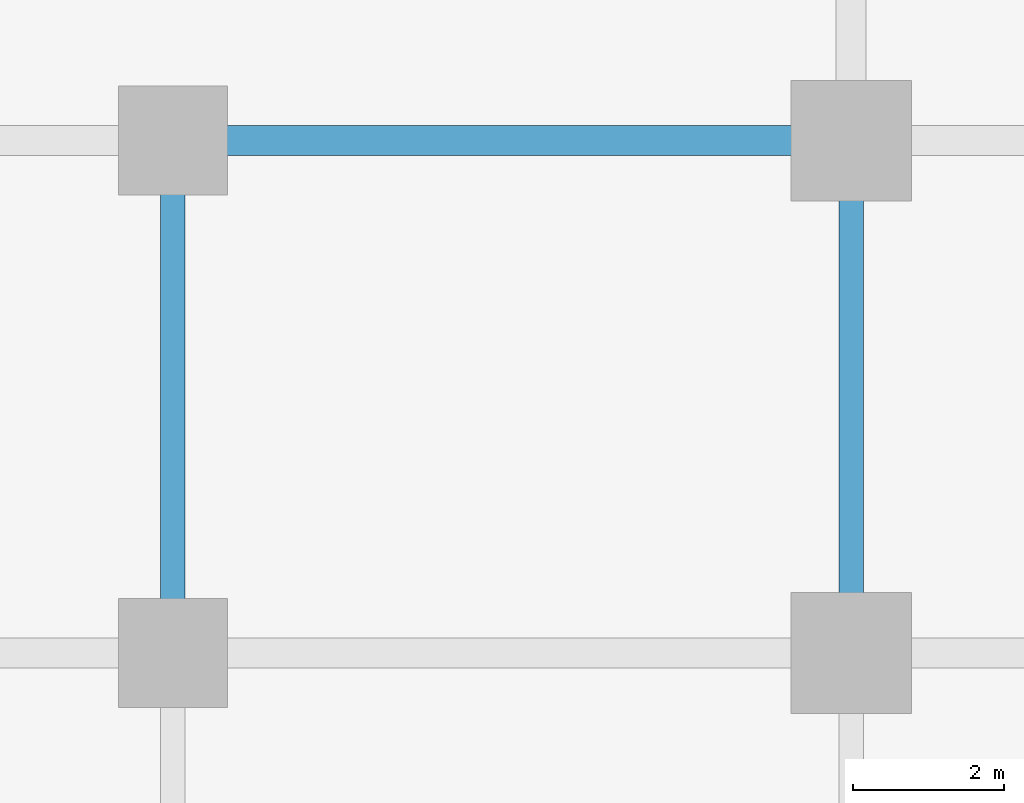
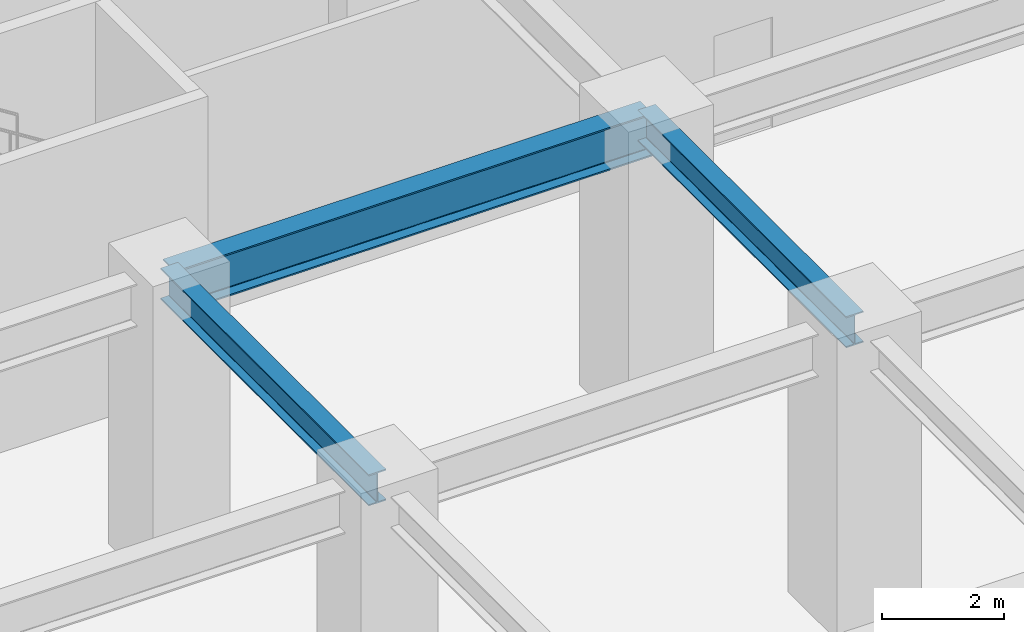
# One storey, part 6 of 34: 3 beams.
"""IFC4 building model written with IfcOpenShell, lengths in metres."""

from ifc_helpers import new_model, si_unit, direction, frame, origin, origin_2d, place, context, subcontext, project, spatial, i_section, extrude, source, transform, mapped, material, material_profile, profile_set, type_object, element, save


model = new_model("IFC4")

# Units and contexts
model_context = context("Model", 3, precision=1e-05, world=origin(), true_north=direction((0.0, 1.0)))
body_context = subcontext(model_context, "Body", "Model", "MODEL_VIEW")
ifc_project = project(units=[si_unit("LENGTHUNIT", "METRE"), si_unit("AREAUNIT", "SQUARE_METRE"), si_unit("VOLUMEUNIT", "CUBIC_METRE"), si_unit("PLANEANGLEUNIT", "RADIAN"), si_unit("MASSUNIT", "GRAM", prefix="KILO")], contexts=[model_context])

# Site, building, storey
site_placement = place(None, origin())
site = spatial("IfcSite", under=ifc_project, at=site_placement, CompositionType="ELEMENT")
building_placement = place(site_placement, origin())
building = spatial("IfcBuilding", under=site, at=building_placement, Name="Torre Montelarca", CompositionType="ELEMENT")
storey_placement = place(building_placement, frame((0.0, 0.0, 6.0)))
storey = spatial("IfcBuildingStorey", under=building, at=storey_placement, Name="L02", CompositionType="ELEMENT", Elevation=6.0)

# Beams
ifc_material = material(Name="Steel ASTM A992 Grade 50", Category="steel")
ifc_material_profile_1 = material_profile(ifc_material, i_section(OverallWidth=0.39990234375, OverallDepth=0.85498046875, WebThickness=0.018310546875, FlangeThickness=0.029296875, FilletRadius=0.02001953125, at=origin_2d()), Name="W840X299", Category="steel")
ifc_profile_set_1 = profile_set([ifc_material_profile_1], Name="Steel ASTM A992 Grade 50")
beam_type_1 = type_object("IfcBeamType", Name="BM-G-W840", PredefinedType="BEAM", material=ifc_profile_set_1)
shared_shape_1 = source(origin(), body_context, "Body", "SweptSolid", [
    extrude(i_section(OverallWidth=0.39990234375, OverallDepth=0.85498046875, WebThickness=0.018310546875, FlangeThickness=0.029296875, FilletRadius=0.02001953125, at=origin_2d()), origin(), (0.0, 0.0, 1.0), 9.0),
])
beam_placement = place(storey_placement, frame((18.0, 14.800048828125, 5.31201171875), z_axis=(1.0, 0.0, 0.0), x_axis=(0.0, 1.0, 0.0)))
element("IfcBeam", 1, at=beam_placement, inside=storey, type_object=beam_type_1, Name="L02 Grid Girder X 18.0-27.0 at Y=14.8", PredefinedType="BEAM", context=body_context, shape_type="MappedRepresentation", body=[
    mapped(shared_shape_1, transform((0.0, 0.0, 0.0), scale=1.0)),
])
ifc_material_profile_2 = material_profile(ifc_material, i_section(OverallWidth=0.326904296875, OverallDepth=0.6220703125, WebThickness=0.015380859375, FlangeThickness=0.0244140625, FilletRadius=0.014892578125, at=origin_2d()), Name="W610X195", Category="steel")
ifc_profile_set_2 = profile_set([ifc_material_profile_2], Name="Steel ASTM A992 Grade 50")
beam_type_2 = type_object("IfcBeamType", Name="BM-G-W610H", PredefinedType="BEAM", material=ifc_profile_set_2)
shared_shape_2 = source(origin(), body_context, "Body", "SweptSolid", [
    extrude(i_section(OverallWidth=0.326904296875, OverallDepth=0.6220703125, WebThickness=0.015380859375, FlangeThickness=0.0244140625, FilletRadius=0.014892578125, at=origin_2d()), origin(), (0.0, 0.0, 1.0), 6.800048828125),
])
for number, where, z_axis, x_axis, name in (
    (2, (18.0, 8.0, 5.428955078125), (0.0, 1.0, 0.0), (-1.0, 0.0, 0.0), "L02 Grid Girder Y 8.0-14.8 at X=18.0"),
    (3, (27.0, 8.0, 5.428955078125), (0.0, 1.0, 0.0), (-1.0, 0.0, 0.0), "L02 Grid Girder Y 8.0-14.8 at X=27.0"),
):
    element("IfcBeam", number, at=place(storey_placement, frame(where, z_axis=z_axis, x_axis=x_axis)), inside=storey, type_object=beam_type_2, Name=name, PredefinedType="BEAM", context=body_context, shape_type="MappedRepresentation", body=[
        mapped(shared_shape_2, transform((0.0, 0.0, 0.0), scale=1.0)),
    ])

save(model, "model.ifc")
